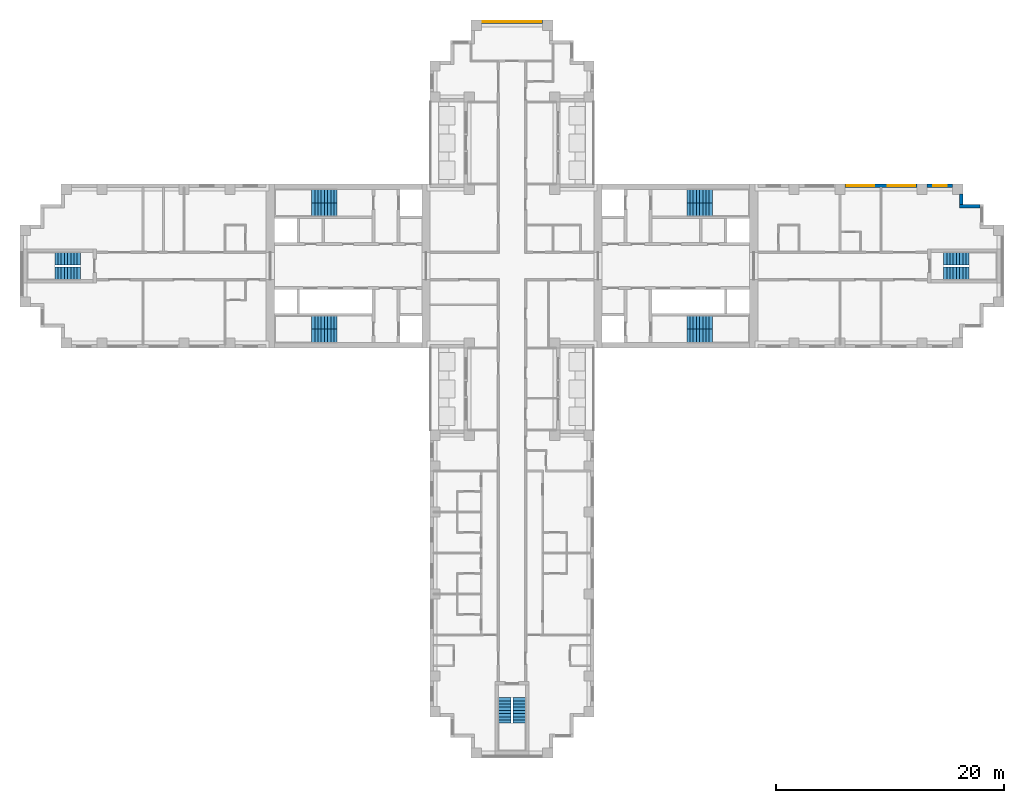
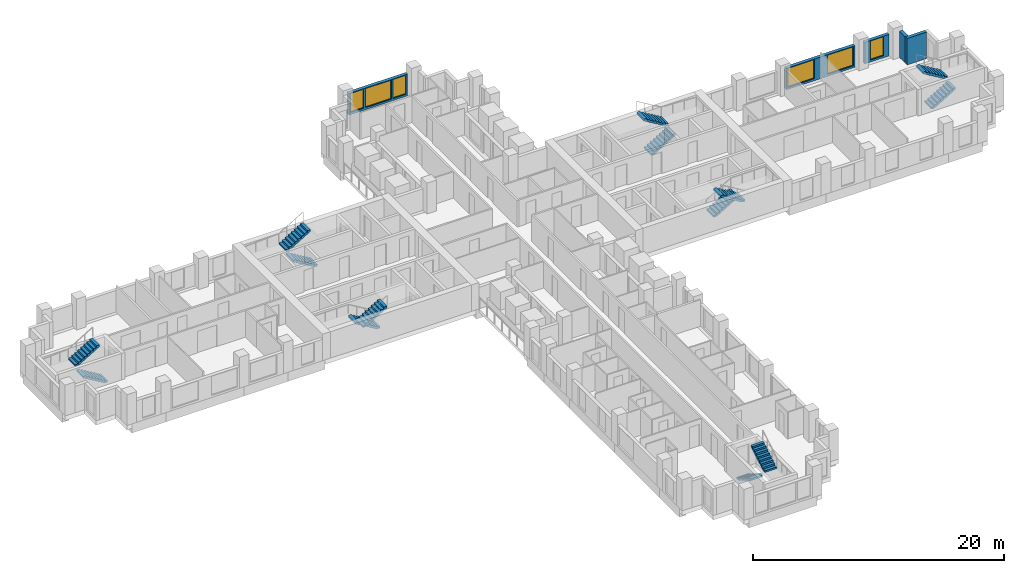
# One storey, part 11 of 13: 14 stair flights, 6 windows, 5 walls, 6 openings, 7 elements without a shape of their own.
"""IFC4 building model written with IfcOpenShell, lengths in metres."""

from ifc_helpers import new_model, si_unit, direction, frame, frame_2d, origin, place, context, subcontext, project, spatial, polyline, rectangle, outline, extrude, material, layer, layer_set, type_object, element, fill, aggregate, save


model = new_model("IFC4")

# Units and contexts
model_context = context("Model", 3, precision=1e-05, world=origin(), true_north=direction((0.0, 1.0)))
body_context = subcontext(model_context, "Body", "Model", "MODEL_VIEW")
ifc_project = project(units=[si_unit("LENGTHUNIT", "METRE"), si_unit("AREAUNIT", "SQUARE_METRE"), si_unit("VOLUMEUNIT", "CUBIC_METRE"), si_unit("PLANEANGLEUNIT", "RADIAN"), si_unit("MASSUNIT", "GRAM", prefix="KILO")], contexts=[model_context])

# Site, building, storey
site_placement = place(None, origin())
site = spatial("IfcSite", under=ifc_project, at=site_placement, CompositionType="ELEMENT")
building_placement = place(site_placement, origin())
building = spatial("IfcBuilding", under=site, at=building_placement, Name="Fustian Cross Tower", CompositionType="ELEMENT")
storey_placement = place(building_placement, frame((0.0, 0.0, 84.89990234375)))
storey = spatial("IfcBuildingStorey", under=building, at=storey_placement, Name="L26", CompositionType="ELEMENT", Elevation=84.89990234375)

# Walls
ifc_material_1 = material(Name="Dark aluminium cladding on insulated backing wall", Category="aluminium")
ifc_layer = layer(ifc_material_1, 0.300048828125)
ifc_layer_set = layer_set([ifc_layer], Name="Dark aluminium cladding on insulated backing wall")
wall_type = type_object("IfcWallType", Name="XW1 EXTERNAL WALL 300", PredefinedType="SOLIDWALL", material=ifc_layer_set)
wall_1_placement = place(storey_placement, frame((41.10009765625, 5.25, 0.0), z_axis=(0.0, 0.0, 1.0), x_axis=(-1.0, 0.0, 0.0)))
element("IfcWall", 1, at=wall_1_placement, inside=storey, type_object=wall_type, Name="External wall", PredefinedType="SOLIDWALL", context=body_context, shape_type="SweptSolid", body=[
    extrude(rectangle(XDim=1.800048828125, YDim=0.300048828125, at=frame_2d((0.89990234375, 0.0))), origin(), (0.0, 0.0, 1.0), 2.5751953125),
])
wall_2_placement = place(storey_placement, frame((39.449951171875, 5.39990234375, 0.0), z_axis=(0.0, 0.0, 1.0), x_axis=(0.0, 1.0, 0.0)))
element("IfcWall", 2, at=wall_2_placement, inside=storey, type_object=wall_type, Name="External wall", PredefinedType="SOLIDWALL", context=body_context, shape_type="SweptSolid", body=[
    extrude(rectangle(XDim=0.900146484375, YDim=0.300048828125, at=frame_2d((0.4501953125, 0.0))), origin(), (0.0, 0.0, 1.0), 2.5751953125),
])

# Wall, opening, window
wall_3_placement = place(storey_placement, frame((38.699951171875, 7.050048828125, 0.0), z_axis=(0.0, 0.0, 1.0), x_axis=(-1.0, 0.0, 0.0)))
wall_3 = element("IfcWall", 3, at=wall_3_placement, inside=storey, type_object=wall_type, Name="External wall", PredefinedType="SOLIDWALL", context=body_context, shape_type="SweptSolid", body=[
    extrude(rectangle(XDim=2.25, YDim=0.300048828125, at=frame_2d((1.125, 0.0))), origin(), (0.0, 0.0, 1.0), 2.10009765625),
])
opening_1_placement = place(wall_3_placement, frame((0.52490234375, 0.0, 0.199951171875)))
opening_1 = element("IfcOpeningElement", 4, at=opening_1_placement, cuts=wall_3, Name="Opening WN3", PredefinedType="OPENING", context=body_context, shape_type="SweptSolid", body=[
    extrude(rectangle(XDim=1.199951171875, YDim=1.85009765625, at=frame_2d((0.60009765625, 0.925048828125))), frame((0.0, 0.159912109375, 0.0), z_axis=(0.0, -1.0, 0.0), x_axis=(1.0, 0.0, 0.0)), (0.0, 0.0, 1.0), 0.320068359375),
])
ifc_material_2 = material(Name="Dark anodised aluminium and double glazing", Category="aluminium")
window_type_1 = type_object("IfcWindowType", Name="WN3 WINDOW 1200X1850", PartitioningType="SINGLE_PANEL", PredefinedType="WINDOW", material=ifc_material_2)
window_1_placement = place(opening_1_placement, origin())
window_1 = element("IfcWindow", 5, at=window_1_placement, inside=storey, type_object=window_type_1, Name="Window", OverallHeight=1.85009765625, OverallWidth=1.199951171875, PartitioningType="SINGLE_PANEL", PredefinedType="WINDOW", context=body_context, shape_type="SweptSolid", body=[
    extrude(rectangle(XDim=1.199951171875, YDim=1.85009765625, at=frame_2d((0.60009765625, 0.925048828125))), frame((0.0, 0.030029296875, 0.0), z_axis=(0.0, -1.0, 0.0), x_axis=(1.0, 0.0, 0.0)), (0.0, 0.0, 1.0), 0.06005859375),
])
fill(opening_1, window_1)

# Wall, openings, windows
wall_4_placement = place(storey_placement, frame((35.550048828125, 7.050048828125, 0.0), z_axis=(0.0, 0.0, 1.0), x_axis=(-1.0, 0.0, 0.0)))
wall_4 = element("IfcWall", 6, at=wall_4_placement, inside=storey, type_object=wall_type, Name="External wall", PredefinedType="SOLIDWALL", context=body_context, shape_type="SweptSolid", body=[
    extrude(rectangle(XDim=6.300048828125, YDim=0.300048828125, at=frame_2d((3.14990234375, 0.0))), origin(), (0.0, 0.0, 1.0), 2.10009765625),
])
opening_2_placement = place(wall_4_placement, frame((0.14990234375, 0.0, 0.199951171875)))
opening_2 = element("IfcOpeningElement", 7, at=opening_2_placement, cuts=wall_4, Name="Opening WN1", PredefinedType="OPENING", context=body_context, shape_type="SweptSolid", body=[
    extrude(rectangle(XDim=2.39990234375, YDim=1.85009765625, at=frame_2d((1.199951171875, 0.925048828125))), frame((0.0, 0.159912109375, 0.0), z_axis=(0.0, -1.0, 0.0), x_axis=(1.0, 0.0, 0.0)), (0.0, 0.0, 1.0), 0.320068359375),
])
opening_3_placement = place(wall_4_placement, frame((3.75, 0.0, 0.199951171875)))
opening_3 = element("IfcOpeningElement", 8, at=opening_3_placement, cuts=wall_4, Name="Opening WN1", PredefinedType="OPENING", context=body_context, shape_type="SweptSolid", body=[
    extrude(rectangle(XDim=2.39990234375, YDim=1.85009765625, at=frame_2d((1.199951171875, 0.925048828125))), frame((0.0, 0.159912109375, 0.0), z_axis=(0.0, -1.0, 0.0), x_axis=(1.0, 0.0, 0.0)), (0.0, 0.0, 1.0), 0.320068359375),
])
ifc_material_3 = material(Name="Dark anodised aluminium and double glazing", Category="aluminium")
window_type_2 = type_object("IfcWindowType", Name="WN1 WINDOW 2400X1850", PartitioningType="SINGLE_PANEL", PredefinedType="WINDOW", material=ifc_material_3)
window_2_placement = place(opening_2_placement, origin())
window_2 = element("IfcWindow", 9, at=window_2_placement, inside=storey, type_object=window_type_2, Name="Window", OverallHeight=1.85009765625, OverallWidth=2.39990234375, PartitioningType="SINGLE_PANEL", PredefinedType="WINDOW", context=body_context, shape_type="SweptSolid", body=[
    extrude(rectangle(XDim=2.39990234375, YDim=1.85009765625, at=frame_2d((1.199951171875, 0.925048828125))), frame((0.0, 0.030029296875, 0.0), z_axis=(0.0, -1.0, 0.0), x_axis=(1.0, 0.0, 0.0)), (0.0, 0.0, 1.0), 0.06005859375),
])
fill(opening_2, window_2)
window_3_placement = place(opening_3_placement, origin())
window_3 = element("IfcWindow", 10, at=window_3_placement, inside=storey, type_object=window_type_2, Name="Window", OverallHeight=1.85009765625, OverallWidth=2.39990234375, PartitioningType="SINGLE_PANEL", PredefinedType="WINDOW", context=body_context, shape_type="SweptSolid", body=[
    extrude(rectangle(XDim=2.39990234375, YDim=1.85009765625, at=frame_2d((1.199951171875, 0.925048828125))), frame((0.0, 0.030029296875, 0.0), z_axis=(0.0, -1.0, 0.0), x_axis=(1.0, 0.0, 0.0)), (0.0, 0.0, 1.0), 0.06005859375),
])
fill(opening_3, window_3)

wall_5_placement = place(storey_placement, frame((2.699951171875, 21.449951171875, 0.0), z_axis=(0.0, 0.0, 1.0), x_axis=(-1.0, 0.0, 0.0)))
wall_5 = element("IfcWall", 11, at=wall_5_placement, inside=storey, type_object=wall_type, Name="External wall", PredefinedType="SOLIDWALL", context=body_context, shape_type="SweptSolid", body=[
    extrude(rectangle(XDim=5.39990234375, YDim=0.300048828125, at=frame_2d((2.699951171875, 0.0))), origin(), (0.0, 0.0, 1.0), 2.10009765625),
])
opening_4_placement = place(wall_5_placement, frame((1.5, 0.0, 0.199951171875)))
opening_4 = element("IfcOpeningElement", 12, at=opening_4_placement, cuts=wall_5, Name="Opening WN1", PredefinedType="OPENING", context=body_context, shape_type="SweptSolid", body=[
    extrude(rectangle(XDim=2.39990234375, YDim=1.85009765625, at=frame_2d((1.199951171875, 0.925048828125))), frame((0.0, 0.159912109375, 0.0), z_axis=(0.0, -1.0, 0.0), x_axis=(1.0, 0.0, 0.0)), (0.0, 0.0, 1.0), 0.320068359375),
])
opening_5_placement = place(wall_5_placement, frame((0.14990234375, 0.0, 0.199951171875)))
opening_5 = element("IfcOpeningElement", 13, at=opening_5_placement, cuts=wall_5, Name="Opening WN3", PredefinedType="OPENING", context=body_context, shape_type="SweptSolid", body=[
    extrude(rectangle(XDim=1.199951171875, YDim=1.85009765625, at=frame_2d((0.60009765625, 0.925048828125))), frame((0.0, 0.159912109375, 0.0), z_axis=(0.0, -1.0, 0.0), x_axis=(1.0, 0.0, 0.0)), (0.0, 0.0, 1.0), 0.320068359375),
])
opening_6_placement = place(wall_5_placement, frame((4.050048828125, 0.0, 0.199951171875)))
opening_6 = element("IfcOpeningElement", 14, at=opening_6_placement, cuts=wall_5, Name="Opening WN3", PredefinedType="OPENING", context=body_context, shape_type="SweptSolid", body=[
    extrude(rectangle(XDim=1.199951171875, YDim=1.85009765625, at=frame_2d((0.60009765625, 0.925048828125))), frame((0.0, 0.159912109375, 0.0), z_axis=(0.0, -1.0, 0.0), x_axis=(1.0, 0.0, 0.0)), (0.0, 0.0, 1.0), 0.320068359375),
])
window_4_placement = place(opening_4_placement, origin())
window_4 = element("IfcWindow", 15, at=window_4_placement, inside=storey, type_object=window_type_2, Name="Window", OverallHeight=1.85009765625, OverallWidth=2.39990234375, PartitioningType="SINGLE_PANEL", PredefinedType="WINDOW", context=body_context, shape_type="SweptSolid", body=[
    extrude(rectangle(XDim=2.39990234375, YDim=1.85009765625, at=frame_2d((1.199951171875, 0.925048828125))), frame((0.0, 0.030029296875, 0.0), z_axis=(0.0, -1.0, 0.0), x_axis=(1.0, 0.0, 0.0)), (0.0, 0.0, 1.0), 0.06005859375),
])
fill(opening_4, window_4)
window_5_placement = place(opening_5_placement, origin())
window_5 = element("IfcWindow", 16, at=window_5_placement, inside=storey, type_object=window_type_1, Name="Window", OverallHeight=1.85009765625, OverallWidth=1.199951171875, PartitioningType="SINGLE_PANEL", PredefinedType="WINDOW", context=body_context, shape_type="SweptSolid", body=[
    extrude(rectangle(XDim=1.199951171875, YDim=1.85009765625, at=frame_2d((0.60009765625, 0.925048828125))), frame((0.0, 0.030029296875, 0.0), z_axis=(0.0, -1.0, 0.0), x_axis=(1.0, 0.0, 0.0)), (0.0, 0.0, 1.0), 0.06005859375),
])
fill(opening_5, window_5)
window_6_placement = place(opening_6_placement, origin())
window_6 = element("IfcWindow", 17, at=window_6_placement, inside=storey, type_object=window_type_1, Name="Window", OverallHeight=1.85009765625, OverallWidth=1.199951171875, PartitioningType="SINGLE_PANEL", PredefinedType="WINDOW", context=body_context, shape_type="SweptSolid", body=[
    extrude(rectangle(XDim=1.199951171875, YDim=1.85009765625, at=frame_2d((0.60009765625, 0.925048828125))), frame((0.0, 0.030029296875, 0.0), z_axis=(0.0, -1.0, 0.0), x_axis=(1.0, 0.0, 0.0)), (0.0, 0.0, 1.0), 0.06005859375),
])
fill(opening_6, window_6)

# Stair, stair flights
ifc_material_4 = material(Name="Concrete C50/60", Category="concrete")
stair_type_1 = type_object("IfcStairType", Name="STAIR 1100 HALF TURN", PredefinedType="HALF_TURN_STAIR", material=ifc_material_4)
stair_1_placement = place(storey_placement, origin())
stair_1 = element("IfcStair", 18, at=stair_1_placement, inside=storey, type_object=stair_type_1, Name="Stair ST6", PredefinedType="HALF_TURN_STAIR")
ifc_material_5 = material(Name="Concrete C50/60", Category="concrete")
stair_flight_type_1 = type_object("IfcStairFlightType", Name="STAIR FLIGHT 1100", PredefinedType="STRAIGHT", material=ifc_material_5)
stair_flight_1_placement = place(storey_placement, frame((-0.64990234375, -37.89990234375, 0.0), z_axis=(0.0, 0.0, 1.0), x_axis=(0.0, -1.0, 0.0)))
stair_flight_1 = element("IfcStairFlight", 19, at=stair_flight_1_placement, type_object=stair_flight_type_1, Name="ST6 flight 1", NumberOfRisers=9, NumberOfTreads=8, PredefinedType="STRAIGHT", RiserHeight=0.166666667, TreadLength=0.28, context=body_context, shape_type="SweptSolid", body=[
    extrude(outline(polyline([(0.0, 0.0), (0.0, 0.166748046875), (0.280029296875, 0.166748046875), (0.280029296875, 0.333251953125), (0.56005859375, 0.333251953125), (0.56005859375, 0.5), (0.840087890625, 0.5), (0.840087890625, 0.666748046875), (1.1201171875, 0.666748046875), (1.1201171875, 0.833251953125), (1.39990234375, 0.833251953125), (1.39990234375, 1.0), (1.679931640625, 1.0), (1.679931640625, 1.166748046875), (1.9599609375, 1.166748046875), (1.9599609375, 1.333251953125), (2.239990234375, 1.333251953125), (2.239990234375, 1.5), (2.239990234375, 1.158935546875), (0.29296875, 0.0), (0.0, 0.0)])), frame((0.0, 0.550048828125, 0.0), z_axis=(0.0, -1.0, 0.0), x_axis=(1.0, 0.0, 0.0)), (0.0, 0.0, 1.0), 1.10009765625),
])
stair_flight_2_placement = place(storey_placement, frame((0.64990234375, -40.139892578125, 1.5), z_axis=(0.0, 0.0, 1.0), x_axis=(0.0, 1.0, 0.0)))
stair_flight_2 = element("IfcStairFlight", 20, at=stair_flight_2_placement, type_object=stair_flight_type_1, Name="ST6 flight 2", NumberOfRisers=9, NumberOfTreads=8, PredefinedType="STRAIGHT", RiserHeight=0.166666667, TreadLength=0.28, context=body_context, shape_type="SweptSolid", body=[
    extrude(outline(polyline([(0.0, 0.0), (0.0, 0.166748046875), (0.280029296875, 0.166748046875), (0.280029296875, 0.333251953125), (0.56005859375, 0.333251953125), (0.56005859375, 0.5), (0.840087890625, 0.5), (0.840087890625, 0.666748046875), (1.1201171875, 0.666748046875), (1.1201171875, 0.833251953125), (1.39990234375, 0.833251953125), (1.39990234375, 1.0), (1.679931640625, 1.0), (1.679931640625, 1.166748046875), (1.9599609375, 1.166748046875), (1.9599609375, 1.333251953125), (2.239990234375, 1.333251953125), (2.239990234375, 1.5), (2.239990234375, 1.158935546875), (0.29296875, 0.0), (0.0, 0.0)])), frame((0.0, 0.550048828125, 0.0), z_axis=(0.0, -1.0, 0.0), x_axis=(1.0, 0.0, 0.0)), (0.0, 0.0, 1.0), 1.10009765625),
])
aggregate(stair_1, [stair_flight_1, stair_flight_2])

stair_2_placement = place(storey_placement, origin())
stair_2 = element("IfcStair", 21, at=stair_2_placement, inside=storey, type_object=stair_type_1, Name="Stair ST8", PredefinedType="HALF_TURN_STAIR")
stair_flight_3_placement = place(storey_placement, frame((37.89990234375, -0.64990234375, 0.0), z_axis=(0.0, 0.0, 1.0), x_axis=(1.0, 0.0, 0.0)))
stair_flight_3 = element("IfcStairFlight", 22, at=stair_flight_3_placement, type_object=stair_flight_type_1, Name="ST8 flight 1", NumberOfRisers=9, NumberOfTreads=8, PredefinedType="STRAIGHT", RiserHeight=0.166666667, TreadLength=0.28, context=body_context, shape_type="SweptSolid", body=[
    extrude(outline(polyline([(0.0, 0.0), (0.0, 0.166748046875), (0.280029296875, 0.166748046875), (0.280029296875, 0.333251953125), (0.56005859375, 0.333251953125), (0.56005859375, 0.5), (0.840087890625, 0.5), (0.840087890625, 0.666748046875), (1.1201171875, 0.666748046875), (1.1201171875, 0.833251953125), (1.39990234375, 0.833251953125), (1.39990234375, 1.0), (1.679931640625, 1.0), (1.679931640625, 1.166748046875), (1.9599609375, 1.166748046875), (1.9599609375, 1.333251953125), (2.239990234375, 1.333251953125), (2.239990234375, 1.5), (2.239990234375, 1.158935546875), (0.29296875, 0.0), (0.0, 0.0)])), frame((0.0, 0.550048828125, 0.0), z_axis=(0.0, -1.0, 0.0), x_axis=(1.0, 0.0, 0.0)), (0.0, 0.0, 1.0), 1.10009765625),
])
stair_flight_4_placement = place(storey_placement, frame((40.139892578125, 0.64990234375, 1.5), z_axis=(0.0, 0.0, 1.0), x_axis=(-1.0, 0.0, 0.0)))
stair_flight_4 = element("IfcStairFlight", 23, at=stair_flight_4_placement, type_object=stair_flight_type_1, Name="ST8 flight 2", NumberOfRisers=9, NumberOfTreads=8, PredefinedType="STRAIGHT", RiserHeight=0.166666667, TreadLength=0.28, context=body_context, shape_type="SweptSolid", body=[
    extrude(outline(polyline([(0.0, 0.0), (0.0, 0.166748046875), (0.280029296875, 0.166748046875), (0.280029296875, 0.333251953125), (0.56005859375, 0.333251953125), (0.56005859375, 0.5), (0.840087890625, 0.5), (0.840087890625, 0.666748046875), (1.1201171875, 0.666748046875), (1.1201171875, 0.833251953125), (1.39990234375, 0.833251953125), (1.39990234375, 1.0), (1.679931640625, 1.0), (1.679931640625, 1.166748046875), (1.9599609375, 1.166748046875), (1.9599609375, 1.333251953125), (2.239990234375, 1.333251953125), (2.239990234375, 1.5), (2.239990234375, 1.158935546875), (0.29296875, 0.0), (0.0, 0.0)])), frame((0.0, 0.550048828125, 0.0), z_axis=(0.0, -1.0, 0.0), x_axis=(1.0, 0.0, 0.0)), (0.0, 0.0, 1.0), 1.10009765625),
])
aggregate(stair_2, [stair_flight_3, stair_flight_4])

stair_3_placement = place(storey_placement, origin())
stair_3 = element("IfcStair", 24, at=stair_3_placement, inside=storey, type_object=stair_type_1, Name="Stair ST9", PredefinedType="HALF_TURN_STAIR")
stair_flight_5_placement = place(storey_placement, frame((-37.89990234375, -0.64990234375, 0.0), z_axis=(0.0, 0.0, 1.0), x_axis=(-1.0, 0.0, 0.0)))
stair_flight_5 = element("IfcStairFlight", 25, at=stair_flight_5_placement, type_object=stair_flight_type_1, Name="ST9 flight 1", NumberOfRisers=9, NumberOfTreads=8, PredefinedType="STRAIGHT", RiserHeight=0.166666667, TreadLength=0.28, context=body_context, shape_type="SweptSolid", body=[
    extrude(outline(polyline([(0.0, 0.0), (0.0, 0.166748046875), (0.280029296875, 0.166748046875), (0.280029296875, 0.333251953125), (0.56005859375, 0.333251953125), (0.56005859375, 0.5), (0.840087890625, 0.5), (0.840087890625, 0.666748046875), (1.1201171875, 0.666748046875), (1.1201171875, 0.833251953125), (1.39990234375, 0.833251953125), (1.39990234375, 1.0), (1.679931640625, 1.0), (1.679931640625, 1.166748046875), (1.9599609375, 1.166748046875), (1.9599609375, 1.333251953125), (2.239990234375, 1.333251953125), (2.239990234375, 1.5), (2.239990234375, 1.158935546875), (0.29296875, 0.0), (0.0, 0.0)])), frame((0.0, 0.550048828125, 0.0), z_axis=(0.0, -1.0, 0.0), x_axis=(1.0, 0.0, 0.0)), (0.0, 0.0, 1.0), 1.10009765625),
])
stair_flight_6_placement = place(storey_placement, frame((-40.139892578125, 0.64990234375, 1.5), z_axis=(0.0, 0.0, 1.0), x_axis=(1.0, 0.0, 0.0)))
stair_flight_6 = element("IfcStairFlight", 26, at=stair_flight_6_placement, type_object=stair_flight_type_1, Name="ST9 flight 2", NumberOfRisers=9, NumberOfTreads=8, PredefinedType="STRAIGHT", RiserHeight=0.166666667, TreadLength=0.28, context=body_context, shape_type="SweptSolid", body=[
    extrude(outline(polyline([(0.0, 0.0), (0.0, 0.166748046875), (0.280029296875, 0.166748046875), (0.280029296875, 0.333251953125), (0.56005859375, 0.333251953125), (0.56005859375, 0.5), (0.840087890625, 0.5), (0.840087890625, 0.666748046875), (1.1201171875, 0.666748046875), (1.1201171875, 0.833251953125), (1.39990234375, 0.833251953125), (1.39990234375, 1.0), (1.679931640625, 1.0), (1.679931640625, 1.166748046875), (1.9599609375, 1.166748046875), (1.9599609375, 1.333251953125), (2.239990234375, 1.333251953125), (2.239990234375, 1.5), (2.239990234375, 1.158935546875), (0.29296875, 0.0), (0.0, 0.0)])), frame((0.0, 0.550048828125, 0.0), z_axis=(0.0, -1.0, 0.0), x_axis=(1.0, 0.0, 0.0)), (0.0, 0.0, 1.0), 1.10009765625),
])
aggregate(stair_3, [stair_flight_5, stair_flight_6])

ifc_material_6 = material(Name="Concrete C50/60", Category="concrete")
stair_type_2 = type_object("IfcStairType", Name="STAIR 1150 HALF TURN", PredefinedType="HALF_TURN_STAIR", material=ifc_material_6)
stair_4_placement = place(storey_placement, origin())
stair_4 = element("IfcStair", 27, at=stair_4_placement, inside=storey, type_object=stair_type_2, Name="Stair ST1", PredefinedType="HALF_TURN_STAIR")
ifc_material_7 = material(Name="Concrete C50/60", Category="concrete")
stair_flight_type_2 = type_object("IfcStairFlightType", Name="STAIR FLIGHT 1150", PredefinedType="STRAIGHT", material=ifc_material_7)
stair_flight_7_placement = place(storey_placement, frame((15.35009765625, 4.97509765625, 0.0), z_axis=(0.0, 0.0, 1.0), x_axis=(1.0, 0.0, 0.0)))
stair_flight_7 = element("IfcStairFlight", 28, at=stair_flight_7_placement, type_object=stair_flight_type_2, Name="ST1 flight 1", NumberOfRisers=9, NumberOfTreads=8, PredefinedType="STRAIGHT", RiserHeight=0.166666667, TreadLength=0.28, context=body_context, shape_type="SweptSolid", body=[
    extrude(outline(polyline([(0.0, 0.0), (0.0, 0.166748046875), (0.280029296875, 0.166748046875), (0.280029296875, 0.333251953125), (0.56005859375, 0.333251953125), (0.56005859375, 0.5), (0.840087890625, 0.5), (0.840087890625, 0.666748046875), (1.1201171875, 0.666748046875), (1.1201171875, 0.833251953125), (1.39990234375, 0.833251953125), (1.39990234375, 1.0), (1.679931640625, 1.0), (1.679931640625, 1.166748046875), (1.9599609375, 1.166748046875), (1.9599609375, 1.333251953125), (2.239990234375, 1.333251953125), (2.239990234375, 1.5), (2.239990234375, 1.158935546875), (0.29296875, 0.0), (0.0, 0.0)])), frame((0.0, 0.574951171875, 0.0), z_axis=(0.0, -1.0, 0.0), x_axis=(1.0, 0.0, 0.0)), (0.0, 0.0, 1.0), 1.14990234375),
])
stair_flight_8_placement = place(storey_placement, frame((17.590087890625, 6.125, 1.5), z_axis=(0.0, 0.0, 1.0), x_axis=(-1.0, 0.0, 0.0)))
stair_flight_8 = element("IfcStairFlight", 29, at=stair_flight_8_placement, type_object=stair_flight_type_2, Name="ST1 flight 2", NumberOfRisers=9, NumberOfTreads=8, PredefinedType="STRAIGHT", RiserHeight=0.166666667, TreadLength=0.28, context=body_context, shape_type="SweptSolid", body=[
    extrude(outline(polyline([(0.0, 0.0), (0.0, 0.166748046875), (0.280029296875, 0.166748046875), (0.280029296875, 0.333251953125), (0.56005859375, 0.333251953125), (0.56005859375, 0.5), (0.840087890625, 0.5), (0.840087890625, 0.666748046875), (1.1201171875, 0.666748046875), (1.1201171875, 0.833251953125), (1.39990234375, 0.833251953125), (1.39990234375, 1.0), (1.679931640625, 1.0), (1.679931640625, 1.166748046875), (1.9599609375, 1.166748046875), (1.9599609375, 1.333251953125), (2.239990234375, 1.333251953125), (2.239990234375, 1.5), (2.239990234375, 1.158935546875), (0.29296875, 0.0), (0.0, 0.0)])), frame((0.0, 0.574951171875, 0.0), z_axis=(0.0, -1.0, 0.0), x_axis=(1.0, 0.0, 0.0)), (0.0, 0.0, 1.0), 1.14990234375),
])
aggregate(stair_4, [stair_flight_7, stair_flight_8])

stair_5_placement = place(storey_placement, origin())
stair_5 = element("IfcStair", 30, at=stair_5_placement, inside=storey, type_object=stair_type_2, Name="Stair ST2", PredefinedType="HALF_TURN_STAIR")
stair_flight_9_placement = place(storey_placement, frame((15.35009765625, -4.97509765625, 0.0), z_axis=(0.0, 0.0, 1.0), x_axis=(1.0, 0.0, 0.0)))
stair_flight_9 = element("IfcStairFlight", 31, at=stair_flight_9_placement, type_object=stair_flight_type_2, Name="ST2 flight 1", NumberOfRisers=9, NumberOfTreads=8, PredefinedType="STRAIGHT", RiserHeight=0.166666667, TreadLength=0.28, context=body_context, shape_type="SweptSolid", body=[
    extrude(outline(polyline([(0.0, 0.0), (0.0, 0.166748046875), (0.280029296875, 0.166748046875), (0.280029296875, 0.333251953125), (0.56005859375, 0.333251953125), (0.56005859375, 0.5), (0.840087890625, 0.5), (0.840087890625, 0.666748046875), (1.1201171875, 0.666748046875), (1.1201171875, 0.833251953125), (1.39990234375, 0.833251953125), (1.39990234375, 1.0), (1.679931640625, 1.0), (1.679931640625, 1.166748046875), (1.9599609375, 1.166748046875), (1.9599609375, 1.333251953125), (2.239990234375, 1.333251953125), (2.239990234375, 1.5), (2.239990234375, 1.158935546875), (0.29296875, 0.0), (0.0, 0.0)])), frame((0.0, 0.574951171875, 0.0), z_axis=(0.0, -1.0, 0.0), x_axis=(1.0, 0.0, 0.0)), (0.0, 0.0, 1.0), 1.14990234375),
])
stair_flight_10_placement = place(storey_placement, frame((17.590087890625, -6.125, 1.5), z_axis=(0.0, 0.0, 1.0), x_axis=(-1.0, 0.0, 0.0)))
stair_flight_10 = element("IfcStairFlight", 32, at=stair_flight_10_placement, type_object=stair_flight_type_2, Name="ST2 flight 2", NumberOfRisers=9, NumberOfTreads=8, PredefinedType="STRAIGHT", RiserHeight=0.166666667, TreadLength=0.28, context=body_context, shape_type="SweptSolid", body=[
    extrude(outline(polyline([(0.0, 0.0), (0.0, 0.166748046875), (0.280029296875, 0.166748046875), (0.280029296875, 0.333251953125), (0.56005859375, 0.333251953125), (0.56005859375, 0.5), (0.840087890625, 0.5), (0.840087890625, 0.666748046875), (1.1201171875, 0.666748046875), (1.1201171875, 0.833251953125), (1.39990234375, 0.833251953125), (1.39990234375, 1.0), (1.679931640625, 1.0), (1.679931640625, 1.166748046875), (1.9599609375, 1.166748046875), (1.9599609375, 1.333251953125), (2.239990234375, 1.333251953125), (2.239990234375, 1.5), (2.239990234375, 1.158935546875), (0.29296875, 0.0), (0.0, 0.0)])), frame((0.0, 0.574951171875, 0.0), z_axis=(0.0, -1.0, 0.0), x_axis=(1.0, 0.0, 0.0)), (0.0, 0.0, 1.0), 1.14990234375),
])
aggregate(stair_5, [stair_flight_9, stair_flight_10])

stair_6_placement = place(storey_placement, origin())
stair_6 = element("IfcStair", 33, at=stair_6_placement, inside=storey, type_object=stair_type_2, Name="Stair ST3", PredefinedType="HALF_TURN_STAIR")
stair_flight_11_placement = place(storey_placement, frame((-15.35009765625, 4.97509765625, 0.0), z_axis=(0.0, 0.0, 1.0), x_axis=(-1.0, 0.0, 0.0)))
stair_flight_11 = element("IfcStairFlight", 34, at=stair_flight_11_placement, type_object=stair_flight_type_2, Name="ST3 flight 1", NumberOfRisers=9, NumberOfTreads=8, PredefinedType="STRAIGHT", RiserHeight=0.166666667, TreadLength=0.28, context=body_context, shape_type="SweptSolid", body=[
    extrude(outline(polyline([(0.0, 0.0), (0.0, 0.166748046875), (0.280029296875, 0.166748046875), (0.280029296875, 0.333251953125), (0.56005859375, 0.333251953125), (0.56005859375, 0.5), (0.840087890625, 0.5), (0.840087890625, 0.666748046875), (1.1201171875, 0.666748046875), (1.1201171875, 0.833251953125), (1.39990234375, 0.833251953125), (1.39990234375, 1.0), (1.679931640625, 1.0), (1.679931640625, 1.166748046875), (1.9599609375, 1.166748046875), (1.9599609375, 1.333251953125), (2.239990234375, 1.333251953125), (2.239990234375, 1.5), (2.239990234375, 1.158935546875), (0.29296875, 0.0), (0.0, 0.0)])), frame((0.0, 0.574951171875, 0.0), z_axis=(0.0, -1.0, 0.0), x_axis=(1.0, 0.0, 0.0)), (0.0, 0.0, 1.0), 1.14990234375),
])
stair_flight_12_placement = place(storey_placement, frame((-17.590087890625, 6.125, 1.5), z_axis=(0.0, 0.0, 1.0), x_axis=(1.0, 0.0, 0.0)))
stair_flight_12 = element("IfcStairFlight", 35, at=stair_flight_12_placement, type_object=stair_flight_type_2, Name="ST3 flight 2", NumberOfRisers=9, NumberOfTreads=8, PredefinedType="STRAIGHT", RiserHeight=0.166666667, TreadLength=0.28, context=body_context, shape_type="SweptSolid", body=[
    extrude(outline(polyline([(0.0, 0.0), (0.0, 0.166748046875), (0.280029296875, 0.166748046875), (0.280029296875, 0.333251953125), (0.56005859375, 0.333251953125), (0.56005859375, 0.5), (0.840087890625, 0.5), (0.840087890625, 0.666748046875), (1.1201171875, 0.666748046875), (1.1201171875, 0.833251953125), (1.39990234375, 0.833251953125), (1.39990234375, 1.0), (1.679931640625, 1.0), (1.679931640625, 1.166748046875), (1.9599609375, 1.166748046875), (1.9599609375, 1.333251953125), (2.239990234375, 1.333251953125), (2.239990234375, 1.5), (2.239990234375, 1.158935546875), (0.29296875, 0.0), (0.0, 0.0)])), frame((0.0, 0.574951171875, 0.0), z_axis=(0.0, -1.0, 0.0), x_axis=(1.0, 0.0, 0.0)), (0.0, 0.0, 1.0), 1.14990234375),
])
aggregate(stair_6, [stair_flight_11, stair_flight_12])

stair_7_placement = place(storey_placement, origin())
stair_7 = element("IfcStair", 36, at=stair_7_placement, inside=storey, type_object=stair_type_2, Name="Stair ST4", PredefinedType="HALF_TURN_STAIR")
stair_flight_13_placement = place(storey_placement, frame((-15.35009765625, -4.97509765625, 0.0), z_axis=(0.0, 0.0, 1.0), x_axis=(-1.0, 0.0, 0.0)))
stair_flight_13 = element("IfcStairFlight", 37, at=stair_flight_13_placement, type_object=stair_flight_type_2, Name="ST4 flight 1", NumberOfRisers=9, NumberOfTreads=8, PredefinedType="STRAIGHT", RiserHeight=0.166666667, TreadLength=0.28, context=body_context, shape_type="SweptSolid", body=[
    extrude(outline(polyline([(0.0, 0.0), (0.0, 0.166748046875), (0.280029296875, 0.166748046875), (0.280029296875, 0.333251953125), (0.56005859375, 0.333251953125), (0.56005859375, 0.5), (0.840087890625, 0.5), (0.840087890625, 0.666748046875), (1.1201171875, 0.666748046875), (1.1201171875, 0.833251953125), (1.39990234375, 0.833251953125), (1.39990234375, 1.0), (1.679931640625, 1.0), (1.679931640625, 1.166748046875), (1.9599609375, 1.166748046875), (1.9599609375, 1.333251953125), (2.239990234375, 1.333251953125), (2.239990234375, 1.5), (2.239990234375, 1.158935546875), (0.29296875, 0.0), (0.0, 0.0)])), frame((0.0, 0.574951171875, 0.0), z_axis=(0.0, -1.0, 0.0), x_axis=(1.0, 0.0, 0.0)), (0.0, 0.0, 1.0), 1.14990234375),
])
stair_flight_14_placement = place(storey_placement, frame((-17.590087890625, -6.125, 1.5), z_axis=(0.0, 0.0, 1.0), x_axis=(1.0, 0.0, 0.0)))
stair_flight_14 = element("IfcStairFlight", 38, at=stair_flight_14_placement, type_object=stair_flight_type_2, Name="ST4 flight 2", NumberOfRisers=9, NumberOfTreads=8, PredefinedType="STRAIGHT", RiserHeight=0.166666667, TreadLength=0.28, context=body_context, shape_type="SweptSolid", body=[
    extrude(outline(polyline([(0.0, 0.0), (0.0, 0.166748046875), (0.280029296875, 0.166748046875), (0.280029296875, 0.333251953125), (0.56005859375, 0.333251953125), (0.56005859375, 0.5), (0.840087890625, 0.5), (0.840087890625, 0.666748046875), (1.1201171875, 0.666748046875), (1.1201171875, 0.833251953125), (1.39990234375, 0.833251953125), (1.39990234375, 1.0), (1.679931640625, 1.0), (1.679931640625, 1.166748046875), (1.9599609375, 1.166748046875), (1.9599609375, 1.333251953125), (2.239990234375, 1.333251953125), (2.239990234375, 1.5), (2.239990234375, 1.158935546875), (0.29296875, 0.0), (0.0, 0.0)])), frame((0.0, 0.574951171875, 0.0), z_axis=(0.0, -1.0, 0.0), x_axis=(1.0, 0.0, 0.0)), (0.0, 0.0, 1.0), 1.14990234375),
])
aggregate(stair_7, [stair_flight_13, stair_flight_14])

save(model, "model.ifc")
